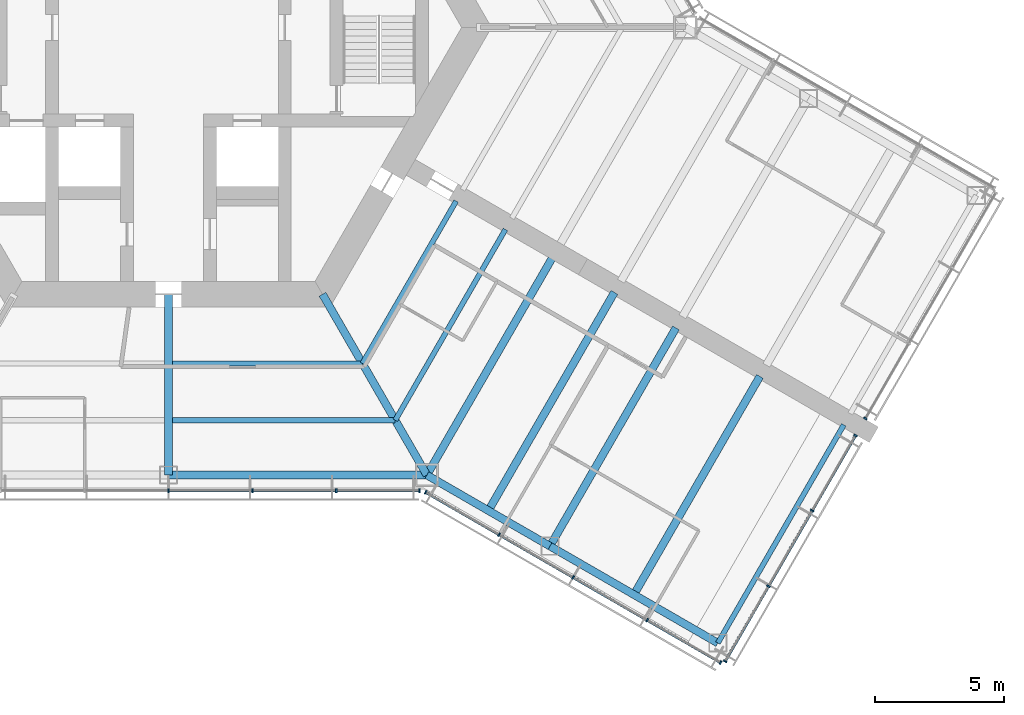
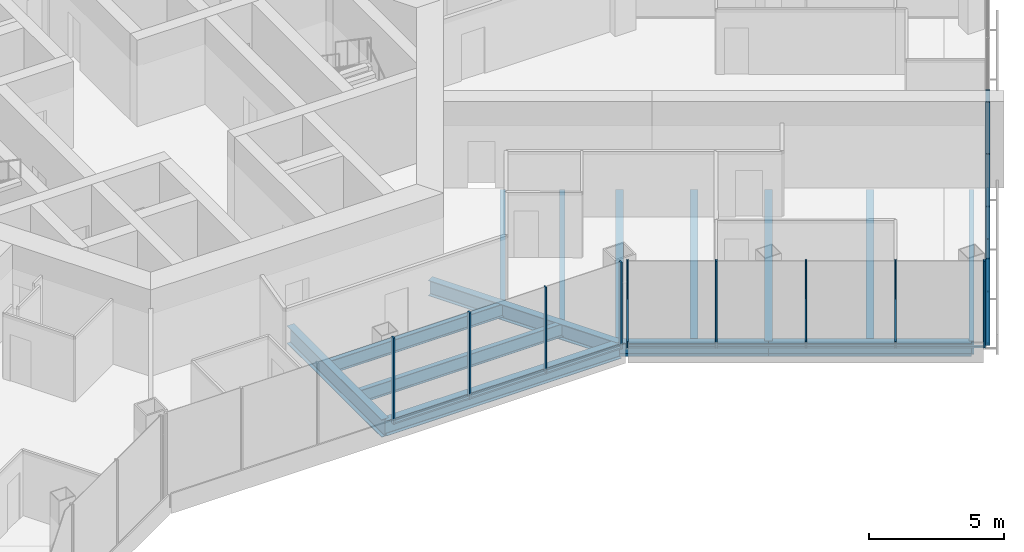
# One storey, part 5 of 18: 24 members, 14 beams, 4 elements without a shape of their own.
"""IFC4 building model written with IfcOpenShell, lengths in metres."""

from ifc_helpers import new_model, si_unit, direction, frame, origin, origin_2d, place, context, subcontext, project, spatial, rectangle, i_section, extrude, material, material_profile, profile_set, type_object, element, aggregate, save


model = new_model("IFC4")

# Units and contexts
model_context = context("Model", 3, precision=1e-05, world=origin(), true_north=direction((0.0, 1.0)))
body_context = subcontext(model_context, "Body", "Model", "MODEL_VIEW")
ifc_project = project(units=[si_unit("LENGTHUNIT", "METRE"), si_unit("AREAUNIT", "SQUARE_METRE"), si_unit("VOLUMEUNIT", "CUBIC_METRE"), si_unit("PLANEANGLEUNIT", "RADIAN"), si_unit("MASSUNIT", "GRAM", prefix="KILO")], contexts=[model_context])

# Site, building, storey
site_placement = place(None, origin())
site = spatial("IfcSite", under=ifc_project, at=site_placement, CompositionType="ELEMENT")
building_placement = place(site_placement, origin())
building = spatial("IfcBuilding", under=site, at=building_placement, Name="Kasaneha Research Tower", CompositionType="ELEMENT")
storey_placement = place(building_placement, frame((0.0, 0.0, 133.10009765625)))
storey = spatial("IfcBuildingStorey", under=building, at=storey_placement, Name="L33", CompositionType="ELEMENT", Elevation=133.10009765625)

# Beams
ifc_material_1 = material(Name="Steel SN490B", Category="steel")
ifc_material_profile_1 = material_profile(ifc_material_1, i_section(OverallWidth=0.199951171875, OverallDepth=0.60009765625, WebThickness=0.010986328125, FlangeThickness=0.01708984375, FilletRadius=0.012939453125, at=origin_2d()), Name="H-600x200x11x17")
ifc_profile_set_1 = profile_set([ifc_material_profile_1], Name="Steel SN490B")
beam_type_1 = type_object("IfcBeamType", Name="B1-3 secondary beam H-600x200x11x17", PredefinedType="JOIST", material=ifc_profile_set_1)
beam_1_placement = place(storey_placement, frame((7.505615234375, -13.0, -0.4501953125), z_axis=(-1.0, 0.0, 0.0), x_axis=(0.0, -1.0, 0.0)))
element("IfcBeam", 1, at=beam_1_placement, inside=storey, type_object=beam_type_1, Name="Secondary beam RS270R1 L33", PredefinedType="JOIST", context=body_context, shape_type="SweptSolid", body=[
    extrude(i_section(OverallWidth=0.199951171875, OverallDepth=0.60009765625, WebThickness=0.010986328125, FlangeThickness=0.01708984375, FilletRadius=0.012939453125, at=origin_2d()), origin(), (0.0, 0.0, 1.0), 7.355712890625),
])
beam_2_placement = place(storey_placement, frame((8.775634765625, -15.199951171875, -0.4501953125), z_axis=(-1.0, 0.0, 0.0), x_axis=(0.0, -1.0, 0.0)))
element("IfcBeam", 2, at=beam_2_placement, inside=storey, type_object=beam_type_1, Name="Secondary beam RS270R2 L33", PredefinedType="JOIST", context=body_context, shape_type="SweptSolid", body=[
    extrude(i_section(OverallWidth=0.199951171875, OverallDepth=0.60009765625, WebThickness=0.010986328125, FlangeThickness=0.01708984375, FilletRadius=0.012939453125, at=origin_2d()), origin(), (0.0, 0.0, 1.0), 8.625732421875),
])
beam_3_placement = place(storey_placement, frame((7.505615234375, -13.0, -0.4501953125), z_axis=(0.499993340521, 0.866029248602, 0.0), x_axis=(-0.866029248602, 0.499993340521, 0.0)))
element("IfcBeam", 3, at=beam_3_placement, inside=storey, type_object=beam_type_1, Name="Secondary beam RS330L1 L33", PredefinedType="JOIST", context=body_context, shape_type="SweptSolid", body=[
    extrude(i_section(OverallWidth=0.199951171875, OverallDepth=0.60009765625, WebThickness=0.010986328125, FlangeThickness=0.01708984375, FilletRadius=0.012939453125, at=origin_2d()), origin(), (0.0, 0.0, 1.0), 7.25537109375),
])
beam_4_placement = place(storey_placement, frame((8.775634765625, -15.199951171875, -0.4501953125), z_axis=(0.500004205306, 0.866022975836, 0.0), x_axis=(-0.866022975836, 0.500004205306, 0.0)))
element("IfcBeam", 4, at=beam_4_placement, inside=storey, type_object=beam_type_1, Name="Secondary beam RS330L2 L33", PredefinedType="JOIST", context=body_context, shape_type="SweptSolid", body=[
    extrude(i_section(OverallWidth=0.199951171875, OverallDepth=0.60009765625, WebThickness=0.010986328125, FlangeThickness=0.01708984375, FilletRadius=0.012939453125, at=origin_2d()), origin(), (0.0, 0.0, 1.0), 8.52587890625),
])
ifc_material_2 = material(Name="Steel SN490B", Category="steel")
ifc_material_profile_2 = material_profile(ifc_material_2, i_section(OverallWidth=0.300048828125, OverallDepth=0.58203125, WebThickness=0.011962890625, FlangeThickness=0.01708984375, FilletRadius=0.012939453125, at=origin_2d()), Name="H-582x300x12x17")
ifc_profile_set_2 = profile_set([ifc_material_profile_2], Name="Steel SN490B")
beam_type_2 = type_object("IfcBeamType", Name="B2-3 secondary beam H-582x300x12x17", PredefinedType="JOIST", material=ifc_profile_set_2)
for number, where, z_axis, x_axis, name in (
    (5, (12.381591796875, -18.695556640625, -0.441162109375), (0.499995560238, 0.866027967067, 0.0), (-0.866027967067, 0.499995560238, 0.0), "Secondary beam WBCP1 L33"),
    (6, (18.0107421875, -21.945556640625, -0.441162109375), (0.499995560238, 0.866027967067, 0.0), (-0.866027967067, 0.499995560238, 0.0), "Secondary beam WBCP2 L33"),
):
    element("IfcBeam", number, at=place(storey_placement, frame(where, z_axis=z_axis, x_axis=x_axis)), inside=storey, type_object=beam_type_2, Name=name, PredefinedType="JOIST", context=body_context, shape_type="SweptSolid", body=[
        extrude(i_section(OverallWidth=0.300048828125, OverallDepth=0.58203125, WebThickness=0.011962890625, FlangeThickness=0.01708984375, FilletRadius=0.012939453125, at=origin_2d()), origin(), (0.0, 0.0, 1.0), 9.75),
    ])

# Curtain wall, members
ifc_material_3 = material(Name="Glass and aluminium", Category="aluminium")
curtain_wall_type = type_object("IfcCurtainWallType", Name="Mid-rise office curtain wall", PredefinedType="USERDEFINED", material=ifc_material_3)
curtain_wall_1_placement = place(storey_placement, origin())
curtain_wall_1 = element("IfcCurtainWall", 7, at=curtain_wall_1_placement, inside=storey, type_object=curtain_wall_type, Name="CW-O2 L33 run 01a", ObjectType="UNITISED CURTAIN WALL", PredefinedType="USERDEFINED")
ifc_material_4 = material(Name="Aluminium 6063-T6", Category="aluminium")
ifc_material_profile_3 = material_profile(ifc_material_4, rectangle(XDim=0.06005859375, YDim=0.14990234375, at=origin_2d()), Name="CW-O2 mullion 60x150")
ifc_profile_set_3 = profile_set([ifc_material_profile_3], Name="Aluminium 6063-T6")
member_type_1 = type_object("IfcMemberType", Name="CW-O2 mullion", PredefinedType="MULLION", material=ifc_profile_set_3)
member_1_placement = place(storey_placement, frame((0.0, -17.92041015625, 0.0), z_axis=(0.0, 0.0, 1.0), x_axis=(1.0, 0.0, 0.0)))
member_1 = element("IfcMember", 8, at=member_1_placement, type_object=member_type_1, Name="CW-O2 mullion 4", PredefinedType="MULLION", context=body_context, shape_type="SweptSolid", body=[
    extrude(rectangle(XDim=0.06005859375, YDim=0.14990234375, at=origin_2d()), origin(), (0.0, 0.0, 1.0), 3.89990234375),
])
member_2_placement = place(storey_placement, frame((3.246337890625, -17.92041015625, 0.0), z_axis=(0.0, 0.0, 1.0), x_axis=(1.0, 0.0, 0.0)))
member_2 = element("IfcMember", 9, at=member_2_placement, type_object=member_type_1, Name="CW-O2 mullion 5", PredefinedType="MULLION", context=body_context, shape_type="SweptSolid", body=[
    extrude(rectangle(XDim=0.06005859375, YDim=0.14990234375, at=origin_2d()), origin(), (0.0, 0.0, 1.0), 3.89990234375),
])
member_3_placement = place(storey_placement, frame((6.492919921875, -17.92041015625, 0.0), z_axis=(0.0, 0.0, 1.0), x_axis=(1.0, 0.0, 0.0)))
member_3 = element("IfcMember", 10, at=member_3_placement, type_object=member_type_1, Name="CW-O2 mullion 6", PredefinedType="MULLION", context=body_context, shape_type="SweptSolid", body=[
    extrude(rectangle(XDim=0.06005859375, YDim=0.14990234375, at=origin_2d()), origin(), (0.0, 0.0, 1.0), 3.89990234375),
])
member_4_placement = place(storey_placement, frame((9.709228515625, -17.92041015625, 0.0), z_axis=(0.0, 0.0, 1.0), x_axis=(1.0, 0.0, 0.0)))
member_4 = element("IfcMember", 11, at=member_4_placement, type_object=member_type_1, Name="CW-O2 mullion 7", PredefinedType="MULLION", context=body_context, shape_type="SweptSolid", body=[
    extrude(rectangle(XDim=0.06005859375, YDim=0.14990234375, at=origin_2d()), origin(), (0.0, 0.0, 1.0), 3.89990234375),
])

curtain_wall_2_placement = place(storey_placement, origin())
curtain_wall_2 = element("IfcCurtainWall", 12, at=curtain_wall_2_placement, inside=storey, type_object=curtain_wall_type, Name="CW-O2 L33 run 02a", ObjectType="UNITISED CURTAIN WALL", PredefinedType="USERDEFINED")
member_5_placement = place(storey_placement, frame((9.951904296875, -17.985595703125, 0.0), z_axis=(0.0, 0.0, 1.0), x_axis=(0.866025411464, -0.499999986699, 0.0)))
member_5 = element("IfcMember", 13, at=member_5_placement, type_object=member_type_1, Name="CW-O2 mullion 1", PredefinedType="MULLION", context=body_context, shape_type="SweptSolid", body=[
    extrude(rectangle(XDim=0.06005859375, YDim=0.14990234375, at=origin_2d()), origin(), (0.0, 0.0, 1.0), 3.89990234375),
])
member_6_placement = place(storey_placement, frame((12.792236328125, -19.62548828125, 0.0), z_axis=(0.0, 0.0, 1.0), x_axis=(0.866025411464, -0.499999986699, 0.0)))
member_6 = element("IfcMember", 14, at=member_6_placement, type_object=member_type_1, Name="CW-O2 mullion 2", PredefinedType="MULLION", context=body_context, shape_type="SweptSolid", body=[
    extrude(rectangle(XDim=0.06005859375, YDim=0.14990234375, at=origin_2d()), origin(), (0.0, 0.0, 1.0), 3.89990234375),
])
member_7_placement = place(storey_placement, frame((15.65869140625, -21.2802734375, 0.0), z_axis=(0.0, 0.0, 1.0), x_axis=(0.866025411464, -0.499999986699, 0.0)))
member_7 = element("IfcMember", 15, at=member_7_placement, type_object=member_type_1, Name="CW-O2 mullion 3", PredefinedType="MULLION", context=body_context, shape_type="SweptSolid", body=[
    extrude(rectangle(XDim=0.06005859375, YDim=0.14990234375, at=origin_2d()), origin(), (0.0, 0.0, 1.0), 3.89990234375),
])
member_8_placement = place(storey_placement, frame((18.52490234375, -22.935302734375, 0.0), z_axis=(0.0, 0.0, 1.0), x_axis=(0.866025411464, -0.499999986699, 0.0)))
member_8 = element("IfcMember", 16, at=member_8_placement, type_object=member_type_1, Name="CW-O2 mullion 4", PredefinedType="MULLION", context=body_context, shape_type="SweptSolid", body=[
    extrude(rectangle(XDim=0.06005859375, YDim=0.14990234375, at=origin_2d()), origin(), (0.0, 0.0, 1.0), 3.89990234375),
])
member_9_placement = place(storey_placement, frame((21.365478515625, -24.5751953125, 0.0), z_axis=(0.0, 0.0, 1.0), x_axis=(0.866025411464, -0.499999986699, 0.0)))
member_9 = element("IfcMember", 17, at=member_9_placement, type_object=member_type_1, Name="CW-O2 mullion 5", PredefinedType="MULLION", context=body_context, shape_type="SweptSolid", body=[
    extrude(rectangle(XDim=0.06005859375, YDim=0.14990234375, at=origin_2d()), origin(), (0.0, 0.0, 1.0), 3.89990234375),
])

curtain_wall_3_placement = place(storey_placement, origin())
curtain_wall_3 = element("IfcCurtainWall", 18, at=curtain_wall_3_placement, inside=storey, type_object=curtain_wall_type, Name="CW-O2 L33 run 03a", ObjectType="UNITISED CURTAIN WALL", PredefinedType="USERDEFINED")
member_10_placement = place(storey_placement, frame((21.54296875, -24.527587890625, 0.0), z_axis=(0.0, 0.0, 1.0), x_axis=(0.500000011442, 0.866025397178, 0.0)))
member_10 = element("IfcMember", 19, at=member_10_placement, type_object=member_type_1, Name="CW-O2 mullion 1", PredefinedType="MULLION", context=body_context, shape_type="SweptSolid", body=[
    extrude(rectangle(XDim=0.06005859375, YDim=0.14990234375, at=origin_2d()), origin(), (0.0, 0.0, 1.0), 3.89990234375),
])
member_11_placement = place(storey_placement, frame((23.2197265625, -21.62353515625, 0.0), z_axis=(0.0, 0.0, 1.0), x_axis=(0.500000011442, 0.866025397178, 0.0)))
member_11 = element("IfcMember", 20, at=member_11_placement, type_object=member_type_1, Name="CW-O2 mullion 2", PredefinedType="MULLION", context=body_context, shape_type="SweptSolid", body=[
    extrude(rectangle(XDim=0.06005859375, YDim=0.14990234375, at=origin_2d()), origin(), (0.0, 0.0, 1.0), 3.89990234375),
])
member_12_placement = place(storey_placement, frame((24.911376953125, -18.693359375, 0.0), z_axis=(0.0, 0.0, 1.0), x_axis=(0.500000011442, 0.866025397178, 0.0)))
member_12 = element("IfcMember", 21, at=member_12_placement, type_object=member_type_1, Name="CW-O2 mullion 3", PredefinedType="MULLION", context=body_context, shape_type="SweptSolid", body=[
    extrude(rectangle(XDim=0.06005859375, YDim=0.14990234375, at=origin_2d()), origin(), (0.0, 0.0, 1.0), 3.89990234375),
])
member_13_placement = place(storey_placement, frame((26.587890625, -15.789306640625, 0.0), z_axis=(0.0, 0.0, 1.0), x_axis=(0.500000011442, 0.866025397178, 0.0)))
member_13 = element("IfcMember", 22, at=member_13_placement, type_object=member_type_1, Name="CW-O2 mullion 4", PredefinedType="MULLION", context=body_context, shape_type="SweptSolid", body=[
    extrude(rectangle(XDim=0.06005859375, YDim=0.14990234375, at=origin_2d()), origin(), (0.0, 0.0, 1.0), 3.89990234375),
])

# Curtain wall, member
curtain_wall_4_placement = place(storey_placement, origin())
curtain_wall_4 = element("IfcCurtainWall", 23, at=curtain_wall_4_placement, inside=storey, type_object=curtain_wall_type, Name="CW-O2 L33 run 04a", ObjectType="UNITISED CURTAIN WALL", PredefinedType="USERDEFINED")
member_14_placement = place(storey_placement, frame((26.968017578125, -15.131103515625, 0.0), z_axis=(0.0, 0.0, 1.0), x_axis=(0.500000011442, 0.866025397178, 0.0)))
member_14 = element("IfcMember", 24, at=member_14_placement, type_object=member_type_1, Name="CW-O2 mullion 1", PredefinedType="MULLION", context=body_context, shape_type="SweptSolid", body=[
    extrude(rectangle(XDim=0.06005859375, YDim=0.14990234375, at=origin_2d()), origin(), (0.0, 0.0, 1.0), 3.89990234375),
])
aggregate(curtain_wall_4, [member_14])

# Member
ifc_material_5 = material(Name="Aluminium 6063-T6", Category="aluminium")
ifc_material_profile_4 = material_profile(ifc_material_5, rectangle(XDim=0.110107421875, YDim=0.06005859375, at=origin_2d()), Name="CW-O2 transom 110x60")
ifc_profile_set_4 = profile_set([ifc_material_profile_4], Name="Aluminium 6063-T6")
member_type_2 = type_object("IfcMemberType", Name="CW-O2 transom", PredefinedType="USERDEFINED", material=ifc_profile_set_4)
member_15_placement = place(storey_placement, frame((0.030029296875, -17.92041015625, 0.02978515625), z_axis=(1.0, 0.0, 0.0), x_axis=(0.0, 1.0, 0.0)))
member_15 = element("IfcMember", 25, at=member_15_placement, type_object=member_type_2, Name="CW-O2 transom 4", ObjectType="TRANSOM", PredefinedType="USERDEFINED", context=body_context, shape_type="SweptSolid", body=[
    extrude(rectangle(XDim=0.110107421875, YDim=0.06005859375, at=origin_2d()), origin(), (0.0, 0.0, 1.0), 3.186279296875),
])

member_16_placement = place(storey_placement, frame((3.2763671875, -17.92041015625, 0.02978515625), z_axis=(1.0, 0.0, 0.0), x_axis=(0.0, 1.0, 0.0)))
member_16 = element("IfcMember", 26, at=member_16_placement, type_object=member_type_2, Name="CW-O2 transom 5", ObjectType="TRANSOM", PredefinedType="USERDEFINED", context=body_context, shape_type="SweptSolid", body=[
    extrude(rectangle(XDim=0.110107421875, YDim=0.06005859375, at=origin_2d()), origin(), (0.0, 0.0, 1.0), 3.1865234375),
])

member_17_placement = place(storey_placement, frame((6.522705078125, -17.92041015625, 0.02978515625), z_axis=(1.0, 0.0, 0.0), x_axis=(0.0, 1.0, 0.0)))
member_17 = element("IfcMember", 27, at=member_17_placement, type_object=member_type_2, Name="CW-O2 transom 6", ObjectType="TRANSOM", PredefinedType="USERDEFINED", context=body_context, shape_type="SweptSolid", body=[
    extrude(rectangle(XDim=0.110107421875, YDim=0.06005859375, at=origin_2d()), origin(), (0.0, 0.0, 1.0), 3.156494140625),
])

aggregate(curtain_wall_1, [member_1, member_2, member_3, member_4, member_15, member_16, member_17])

member_18_placement = place(storey_placement, frame((9.977783203125, -18.00048828125, 0.02978515625), z_axis=(0.866022692473, -0.500004696101, 0.0), x_axis=(0.500004696101, 0.866022692473, 0.0)))
member_18 = element("IfcMember", 28, at=member_18_placement, type_object=member_type_2, Name="CW-O2 transom 1", ObjectType="TRANSOM", PredefinedType="USERDEFINED", context=body_context, shape_type="SweptSolid", body=[
    extrude(rectangle(XDim=0.110107421875, YDim=0.06005859375, at=origin_2d()), origin(), (0.0, 0.0, 1.0), 3.2197265625),
])

member_19_placement = place(storey_placement, frame((12.818115234375, -19.640380859375, 0.02978515625), z_axis=(0.866015446554, -0.500017246033, 0.0), x_axis=(0.500017246033, 0.866015446554, 0.0)))
member_19 = element("IfcMember", 29, at=member_19_placement, type_object=member_type_2, Name="CW-O2 transom 2", ObjectType="TRANSOM", PredefinedType="USERDEFINED", context=body_context, shape_type="SweptSolid", body=[
    extrude(rectangle(XDim=0.110107421875, YDim=0.06005859375, at=origin_2d()), origin(), (0.0, 0.0, 1.0), 3.25),
])

member_20_placement = place(storey_placement, frame((15.6845703125, -21.29541015625, 0.02978515625), z_axis=(0.86604797581, -0.499960902066, 0.0), x_axis=(0.499960902066, 0.86604797581, 0.0)))
member_20 = element("IfcMember", 30, at=member_20_placement, type_object=member_type_2, Name="CW-O2 transom 3", ObjectType="TRANSOM", PredefinedType="USERDEFINED", context=body_context, shape_type="SweptSolid", body=[
    extrude(rectangle(XDim=0.110107421875, YDim=0.06005859375, at=origin_2d()), origin(), (0.0, 0.0, 1.0), 3.249755859375),
])

member_21_placement = place(storey_placement, frame((18.551025390625, -22.9501953125, 0.02978515625), z_axis=(0.866022692473, -0.500004696101, 0.0), x_axis=(0.500004696101, 0.866022692473, 0.0)))
member_21 = element("IfcMember", 31, at=member_21_placement, type_object=member_type_2, Name="CW-O2 transom 4", ObjectType="TRANSOM", PredefinedType="USERDEFINED", context=body_context, shape_type="SweptSolid", body=[
    extrude(rectangle(XDim=0.110107421875, YDim=0.06005859375, at=origin_2d()), origin(), (0.0, 0.0, 1.0), 3.2197265625),
])

aggregate(curtain_wall_2, [member_5, member_6, member_7, member_8, member_9, member_18, member_19, member_20, member_21])

member_22_placement = place(storey_placement, frame((21.557861328125, -24.50146484375, 0.02978515625), z_axis=(0.500021914551, 0.866012751043, 0.0), x_axis=(-0.866012751043, 0.500021914551, 0.0)))
member_22 = element("IfcMember", 32, at=member_22_placement, type_object=member_type_2, Name="CW-O2 transom 1", ObjectType="TRANSOM", PredefinedType="USERDEFINED", context=body_context, shape_type="SweptSolid", body=[
    extrude(rectangle(XDim=0.110107421875, YDim=0.06005859375, at=origin_2d()), origin(), (0.0, 0.0, 1.0), 3.293212890625),
])

member_23_placement = place(storey_placement, frame((23.234619140625, -21.597412109375, 0.02978515625), z_axis=(0.500010745865, 0.866019199568, 0.0), x_axis=(-0.866019199568, 0.500010745865, 0.0)))
member_23 = element("IfcMember", 33, at=member_23_placement, type_object=member_type_2, Name="CW-O2 transom 2", ObjectType="TRANSOM", PredefinedType="USERDEFINED", context=body_context, shape_type="SweptSolid", body=[
    extrude(rectangle(XDim=0.110107421875, YDim=0.06005859375, at=origin_2d()), origin(), (0.0, 0.0, 1.0), 3.3232421875),
])

member_24_placement = place(storey_placement, frame((24.92626953125, -18.66748046875, 0.02978515625), z_axis=(0.500021914551, 0.866012751043, 0.0), x_axis=(-0.866012751043, 0.500021914551, 0.0)))
member_24 = element("IfcMember", 34, at=member_24_placement, type_object=member_type_2, Name="CW-O2 transom 3", ObjectType="TRANSOM", PredefinedType="USERDEFINED", context=body_context, shape_type="SweptSolid", body=[
    extrude(rectangle(XDim=0.110107421875, YDim=0.06005859375, at=origin_2d()), origin(), (0.0, 0.0, 1.0), 3.293212890625),
])

aggregate(curtain_wall_3, [member_10, member_11, member_12, member_13, member_22, member_23, member_24])

# Beams
ifc_material_6 = material(Name="Steel SN490B", Category="steel")
ifc_material_profile_5 = material_profile(ifc_material_6, i_section(OverallWidth=0.300048828125, OverallDepth=0.699951171875, WebThickness=0.012939453125, FlangeThickness=0.02392578125, FilletRadius=0.01806640625, at=origin_2d()), Name="H-700x300x13x24")
ifc_profile_set_5 = profile_set([ifc_material_profile_5], Name="Steel SN490B")
beam_type_3 = type_object("IfcBeamType", Name="G1-3 radial girder H-700x300x13x24", PredefinedType="BEAM", material=ifc_profile_set_5)
beam_5_placement = place(storey_placement, frame((5.961181640625, -10.324951171875, -0.5), z_axis=(0.49999105496, -0.866030568144, 0.0), x_axis=(0.866030568144, 0.49999105496, 0.0)))
element("IfcBeam", 35, at=beam_5_placement, inside=storey, type_object=beam_type_3, Name="Radial girder RV300 L33", PredefinedType="BEAM", context=body_context, shape_type="SweptSolid", body=[
    extrude(i_section(OverallWidth=0.300048828125, OverallDepth=0.699951171875, WebThickness=0.012939453125, FlangeThickness=0.02392578125, FilletRadius=0.01806640625, at=origin_2d()), origin(), (0.0, 0.0, 1.0), 8.077880859375),
])
ifc_material_7 = material(Name="Steel SN490B", Category="steel")
ifc_material_profile_6 = material_profile(ifc_material_7, i_section(OverallWidth=0.300048828125, OverallDepth=0.800048828125, WebThickness=0.013916015625, FlangeThickness=0.02587890625, FilletRadius=0.01806640625, at=origin_2d()), Name="H-800x300x14x26")
ifc_profile_set_6 = profile_set([ifc_material_profile_6], Name="Steel SN490B")
beam_type_4 = type_object("IfcBeamType", Name="G2-3 radial girder H-800x300x14x26", PredefinedType="BEAM", material=ifc_profile_set_6)
beam_6_placement = place(storey_placement, frame((0.0, -10.324951171875, -0.550048828125), z_axis=(0.0, -1.0, 0.0), x_axis=(1.0, 0.0, 0.0)))
element("IfcBeam", 36, at=beam_6_placement, inside=storey, type_object=beam_type_4, Name="Radial girder RM270 L33", PredefinedType="BEAM", context=body_context, shape_type="SweptSolid", body=[
    extrude(i_section(OverallWidth=0.300048828125, OverallDepth=0.800048828125, WebThickness=0.013916015625, FlangeThickness=0.02587890625, FilletRadius=0.01806640625, at=origin_2d()), origin(), (0.0, 0.0, 1.0), 6.99560546875),
])
ifc_material_8 = material(Name="Steel SN490B", Category="steel")
ifc_material_profile_7 = material_profile(ifc_material_8, i_section(OverallWidth=0.300048828125, OverallDepth=0.69189453125, WebThickness=0.012939453125, FlangeThickness=0.02001953125, FilletRadius=0.01806640625, at=origin_2d()), Name="H-692x300x13x20")
ifc_profile_set_7 = profile_set([ifc_material_profile_7], Name="Steel SN490B")
beam_type_5 = type_object("IfcBeamType", Name="G3-3 plate edge girder H-692x300x13x20", PredefinedType="BEAM", material=ifc_profile_set_7)
beam_7_placement = place(storey_placement, frame((10.0, -17.320556640625, -0.49609375), z_axis=(0.499995560238, 0.866027967067, 0.0), x_axis=(-0.866027967067, 0.499995560238, 0.0)))
element("IfcBeam", 37, at=beam_7_placement, inside=storey, type_object=beam_type_5, Name="Plate edge girder PECP L33", PredefinedType="BEAM", context=body_context, shape_type="SweptSolid", body=[
    extrude(i_section(OverallWidth=0.300048828125, OverallDepth=0.69189453125, WebThickness=0.012939453125, FlangeThickness=0.02001953125, FilletRadius=0.01806640625, at=origin_2d()), origin(), (0.0, 0.0, 1.0), 9.75),
])
ifc_material_9 = material(Name="Steel SN490B", Category="steel")
ifc_material_profile_8 = material_profile(ifc_material_9, i_section(OverallWidth=0.300048828125, OverallDepth=0.699951171875, WebThickness=0.012939453125, FlangeThickness=0.02392578125, FilletRadius=0.01806640625, at=origin_2d()), Name="H-700x300x13x24")
ifc_profile_set_8 = profile_set([ifc_material_profile_8], Name="Steel SN490B")
beam_type_6 = type_object("IfcBeamType", Name="G4-3 wing girder H-700x300x13x24", PredefinedType="BEAM", material=ifc_profile_set_8)
beam_8_placement = place(storey_placement, frame((14.76318359375, -20.070556640625, -0.5), z_axis=(0.499995560238, 0.866027967067, 0.0), x_axis=(-0.866027967067, 0.499995560238, 0.0)))
element("IfcBeam", 38, at=beam_8_placement, inside=storey, type_object=beam_type_6, Name="Wing girder WGCP L33", PredefinedType="BEAM", context=body_context, shape_type="SweptSolid", body=[
    extrude(i_section(OverallWidth=0.300048828125, OverallDepth=0.699951171875, WebThickness=0.012939453125, FlangeThickness=0.02392578125, FilletRadius=0.01806640625, at=origin_2d()), origin(), (0.0, 0.0, 1.0), 9.75),
])
ifc_material_10 = material(Name="Steel SN490B", Category="steel")
ifc_material_profile_9 = material_profile(ifc_material_10, i_section(OverallWidth=0.300048828125, OverallDepth=0.69189453125, WebThickness=0.012939453125, FlangeThickness=0.02001953125, FilletRadius=0.01806640625, at=origin_2d()), Name="H-692x300x13x20")
ifc_profile_set_9 = profile_set([ifc_material_profile_9], Name="Steel SN490B")
beam_type_7 = type_object("IfcBeamType", Name="SB1-3 spandrel beam H-692x300x13x20", PredefinedType="SPANDREL", material=ifc_profile_set_9)
beam_9_placement = place(storey_placement, frame((10.0, -17.320556640625, -0.49609375), z_axis=(-1.0, 0.0, 0.0), x_axis=(0.0, -1.0, 0.0)))
element("IfcBeam", 39, at=beam_9_placement, inside=storey, type_object=beam_type_7, Name="Spandrel beam SR270R L33", PredefinedType="SPANDREL", context=body_context, shape_type="SweptSolid", body=[
    extrude(i_section(OverallWidth=0.300048828125, OverallDepth=0.69189453125, WebThickness=0.012939453125, FlangeThickness=0.02001953125, FilletRadius=0.01806640625, at=origin_2d()), origin(), (0.0, 0.0, 1.0), 10.0),
])
ifc_material_11 = material(Name="Steel SN490B", Category="steel")
ifc_material_profile_10 = material_profile(ifc_material_11, i_section(OverallWidth=0.300048828125, OverallDepth=0.58203125, WebThickness=0.011962890625, FlangeThickness=0.01708984375, FilletRadius=0.012939453125, at=origin_2d()), Name="H-582x300x12x17")
ifc_profile_set_10 = profile_set([ifc_material_profile_10], Name="Steel SN490B")
beam_type_8 = type_object("IfcBeamType", Name="SB2-3 spandrel beam H-582x300x12x17", PredefinedType="SPANDREL", material=ifc_profile_set_10)
beam_10_placement = place(storey_placement, frame((10.0, -17.320556640625, -0.441162109375), z_axis=(0.866027397988, -0.499996545922, 0.0), x_axis=(0.499996545922, 0.866027397988, 0.0)))
element("IfcBeam", 40, at=beam_10_placement, inside=storey, type_object=beam_type_8, Name="Spandrel beam WSCP1 L33", PredefinedType="SPANDREL", context=body_context, shape_type="SweptSolid", body=[
    extrude(i_section(OverallWidth=0.300048828125, OverallDepth=0.58203125, WebThickness=0.011962890625, FlangeThickness=0.01708984375, FilletRadius=0.012939453125, at=origin_2d()), origin(), (0.0, 0.0, 1.0), 5.5),
])
beam_11_placement = place(storey_placement, frame((14.76318359375, -20.070556640625, -0.441162109375), z_axis=(0.866022959057, -0.500004234368, 0.0), x_axis=(0.500004234368, 0.866022959057, 0.0)))
element("IfcBeam", 41, at=beam_11_placement, inside=storey, type_object=beam_type_8, Name="Spandrel beam WSCP2 L33", PredefinedType="SPANDREL", context=body_context, shape_type="SweptSolid", body=[
    extrude(i_section(OverallWidth=0.300048828125, OverallDepth=0.58203125, WebThickness=0.011962890625, FlangeThickness=0.01708984375, FilletRadius=0.012939453125, at=origin_2d()), origin(), (0.0, 0.0, 1.0), 7.5),
])
ifc_material_12 = material(Name="Steel SN490B", Category="steel")
ifc_material_profile_11 = material_profile(ifc_material_12, i_section(OverallWidth=0.199951171875, OverallDepth=0.60009765625, WebThickness=0.010986328125, FlangeThickness=0.01708984375, FilletRadius=0.012939453125, at=origin_2d()), Name="H-600x200x11x17")
ifc_profile_set_11 = profile_set([ifc_material_profile_11], Name="Steel SN490B")
beam_type_9 = type_object("IfcBeamType", Name="SB3-3 spandrel beam H-600x200x11x17", PredefinedType="SPANDREL", material=ifc_profile_set_11)
beam_12_placement = place(storey_placement, frame((21.25830078125, -23.820556640625, -0.4501953125), z_axis=(0.499995560238, 0.866027967067, 0.0), x_axis=(-0.866027967067, 0.499995560238, 0.0)))
element("IfcBeam", 42, at=beam_12_placement, inside=storey, type_object=beam_type_9, Name="Spandrel beam WTCP L33", PredefinedType="SPANDREL", context=body_context, shape_type="SweptSolid", body=[
    extrude(i_section(OverallWidth=0.199951171875, OverallDepth=0.60009765625, WebThickness=0.010986328125, FlangeThickness=0.01708984375, FilletRadius=0.012939453125, at=origin_2d()), origin(), (0.0, 0.0, 1.0), 9.75),
])

save(model, "model.ifc")
